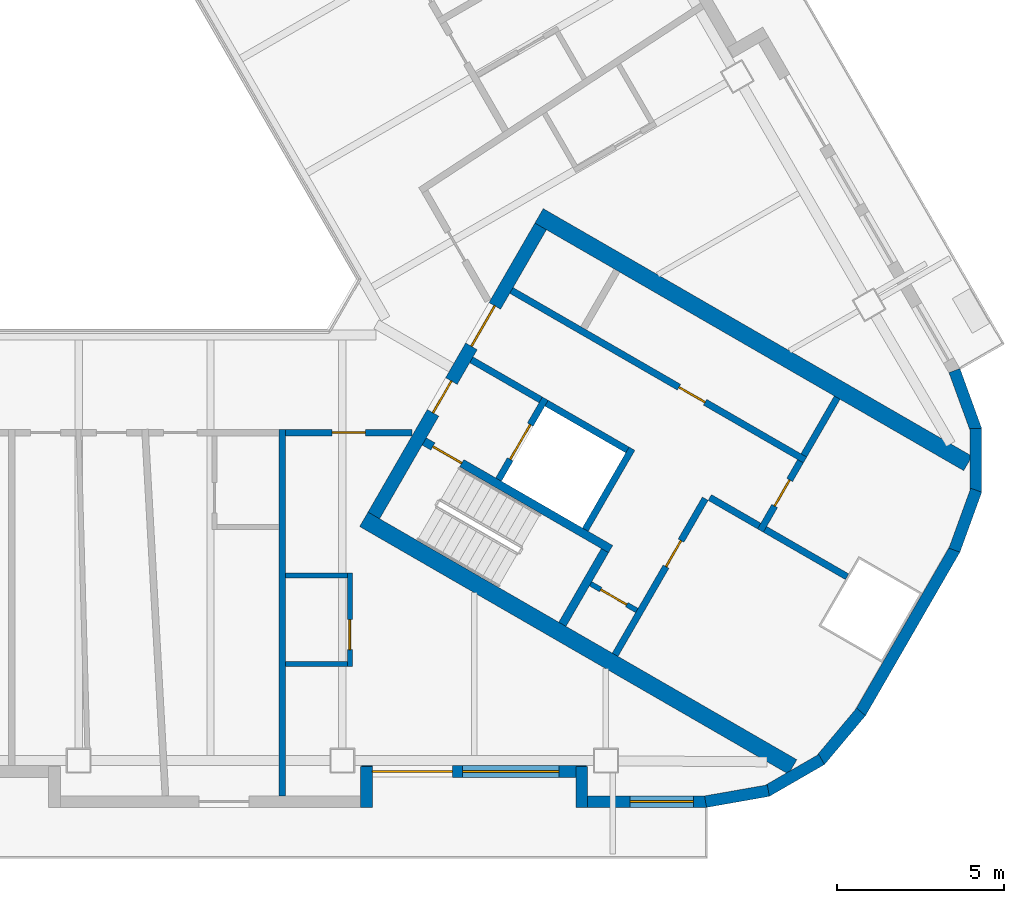
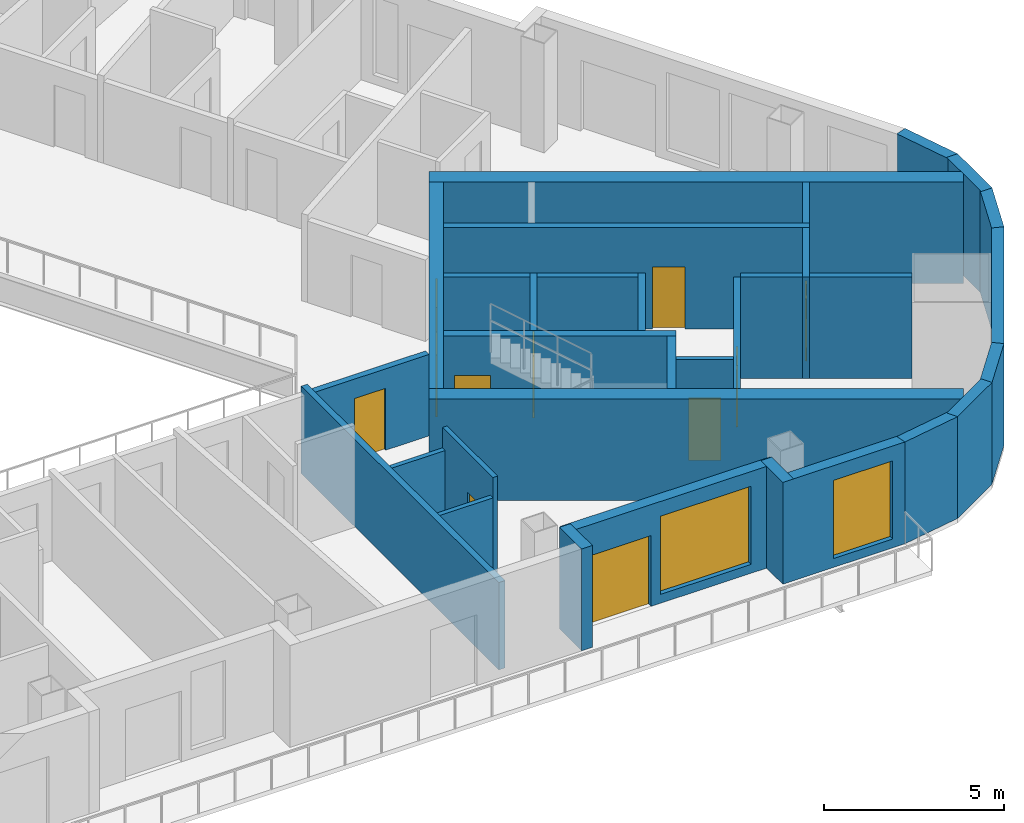
# One storey, part 5 of 14: 32 walls, 11 doors, 2 windows, 13 openings.
"""IFC4 building model written with IfcOpenShell, lengths in metres."""

from ifc_helpers import new_model, si_unit, direction, frame, frame_2d, origin, place, context, subcontext, project, spatial, rectangle, extrude, material, layer, layer_set, type_object, element, fill, save


model = new_model("IFC4")

# Units and contexts
model_context = context("Model", 3, precision=1e-05, world=origin(), true_north=direction((0.0, 1.0)))
body_context = subcontext(model_context, "Body", "Model", "MODEL_VIEW")
ifc_project = project(units=[si_unit("LENGTHUNIT", "METRE"), si_unit("AREAUNIT", "SQUARE_METRE"), si_unit("VOLUMEUNIT", "CUBIC_METRE"), si_unit("PLANEANGLEUNIT", "RADIAN"), si_unit("MASSUNIT", "GRAM", prefix="KILO")], contexts=[model_context])

# Site, building, storey
site_placement = place(None, origin())
site = spatial("IfcSite", under=ifc_project, at=site_placement, CompositionType="ELEMENT")
building_placement = place(site_placement, origin())
building = spatial("IfcBuilding", under=site, at=building_placement, Name="Apuvela Tower Hotel", CompositionType="ELEMENT")
storey_placement = place(building_placement, frame((0.0, 0.0, 228.0)))
storey = spatial("IfcBuildingStorey", under=building, at=storey_placement, Name="L56", CompositionType="ELEMENT", Elevation=228.0)

# Wall, openings, doors
ifc_material_1 = material(Name="Concrete C50/60", Category="concrete")
ifc_layer_1 = layer(ifc_material_1, 0.39990234375)
ifc_layer_set_1 = layer_set([ifc_layer_1], Name="COR-WALL-CORE-400")
wall_type_1 = type_object("IfcWallType", Name="COR-WALL-CORE-400", PredefinedType="SHEAR", material=ifc_layer_set_1)
wall_1_placement = place(storey_placement, frame((8.844970703125, -10.880126953125, 0.0), z_axis=(0.0, 0.0, 1.0), x_axis=(0.500004234368, 0.866022959057, 0.0)))
wall_1 = element("IfcWall", 1, at=wall_1_placement, inside=storey, type_object=wall_type_1, Name="Core wall SE", PredefinedType="SHEAR", context=body_context, shape_type="SweptSolid", body=[
    extrude(rectangle(XDim=10.0, YDim=0.39990234375, at=frame_2d((5.0, 0.0))), origin(), (0.0, 0.0, 1.0), 3.449951171875),
])
opening_1_placement = place(wall_1_placement, frame((3.550048828125, 0.0, 0.0)))
opening_1 = element("IfcOpeningElement", 2, at=opening_1_placement, cuts=wall_1, Name="Opening E-FD", PredefinedType="OPENING", context=body_context, shape_type="SweptSolid", body=[
    extrude(rectangle(XDim=1.10009765625, YDim=2.10009765625, at=frame_2d((0.550048828125, 1.050048828125))), frame((0.0, 0.2099609375, 0.0), z_axis=(0.0, -1.0, 0.0), x_axis=(1.0, 0.0, 0.0)), (0.0, 0.0, 1.0), 0.419921875),
])
opening_2_placement = place(wall_1_placement, frame((5.85009765625, 0.0, 0.0)))
opening_2 = element("IfcOpeningElement", 3, at=opening_2_placement, cuts=wall_1, Name="Opening E-GD", PredefinedType="OPENING", context=body_context, shape_type="SweptSolid", body=[
    extrude(rectangle(XDim=1.39990234375, YDim=2.10009765625, at=frame_2d((0.699951171875, 1.050048828125))), frame((0.0, 0.2099609375, 0.0), z_axis=(0.0, -1.0, 0.0), x_axis=(1.0, 0.0, 0.0)), (0.0, 0.0, 1.0), 0.419921875),
])
ifc_material_2 = material(Name="Steel fire door, powder coated", Category="steel")
door_type_1 = type_object("IfcDoorType", Name="COR-FD-1100", OperationType="NOTDEFINED", PredefinedType="DOOR", material=ifc_material_2)
door_1_placement = place(opening_1_placement, frame((1.10009765625, 0.0, 0.0), z_axis=(0.0, 0.0, 1.0), x_axis=(-1.0, 0.0, 0.0)))
door_1 = element("IfcDoor", 4, at=door_1_placement, inside=storey, type_object=door_type_1, Name="Firefighting lobby door E-FD", OperationType="SINGLE_SWING_LEFT", OverallHeight=2.10009765625, OverallWidth=1.10009765625, PredefinedType="DOOR", context=body_context, shape_type="SweptSolid", body=[
    extrude(rectangle(XDim=1.10009765625, YDim=2.10009765625, at=frame_2d((0.550048828125, 1.050048828125))), frame((0.0, 0.02490234375, 0.0), z_axis=(0.0, -1.0, 0.0), x_axis=(1.0, 0.0, 0.0)), (0.0, 0.0, 1.0), 0.050048828125),
])
fill(opening_1, door_1)
ifc_material_3 = material(Name="Glazed steel fire door", Category="steel")
door_type_2 = type_object("IfcDoorType", Name="COR-GD-1400", OperationType="DOUBLE_DOOR_SINGLE_SWING", PredefinedType="DOOR", material=ifc_material_3)
door_2_placement = place(opening_2_placement, frame((1.39990234375, 0.0, 0.0), z_axis=(0.0, 0.0, 1.0), x_axis=(-1.0, 0.0, 0.0)))
door_2 = element("IfcDoor", 5, at=door_2_placement, inside=storey, type_object=door_type_2, Name="Lift lobby door E-GD", OperationType="DOUBLE_DOOR_SINGLE_SWING", OverallHeight=2.10009765625, OverallWidth=1.39990234375, PredefinedType="DOOR", context=body_context, shape_type="SweptSolid", body=[
    extrude(rectangle(XDim=1.39990234375, YDim=2.10009765625, at=frame_2d((0.699951171875, 1.050048828125))), frame((0.0, 0.02490234375, 0.0), z_axis=(0.0, -1.0, 0.0), x_axis=(1.0, 0.0, 0.0)), (0.0, 0.0, 1.0), 0.050048828125),
])
fill(opening_2, door_2)

# Walls
ifc_layer_2 = layer(ifc_material_1, 0.5)
ifc_layer_set_2 = layer_set([ifc_layer_2], Name="COR-WALL-CORE-500")
wall_type_2 = type_object("IfcWallType", Name="COR-WALL-CORE-500", PredefinedType="SHEAR", material=ifc_layer_set_2)
for number, where, z_axis, x_axis, name in (
    (6, (8.546630859375, -10.99658203125, 0.0), (0.0, 0.0, 1.0), (0.866025009528, -0.500000682871, 0.0), "Core wall SE"),
    (7, (13.796630859375, -1.9033203125, 0.0), (0.0, 0.0, 1.0), (0.866025009528, -0.500000682871, 0.0), "Core wall SE"),
):
    element("IfcWall", number, at=place(storey_placement, frame(where, z_axis=z_axis, x_axis=x_axis)), inside=storey, type_object=wall_type_2, Name=name, PredefinedType="SHEAR", context=body_context, shape_type="SweptSolid", body=[
        extrude(rectangle(XDim=14.8369140625, YDim=0.5, at=frame_2d((7.41845703125, 0.0))), origin(), (0.0, 0.0, 1.0), 3.449951171875),
    ])

# Wall, opening, door
ifc_material_4 = material(Name="Blockwork 150 mm plastered", Category="masonry")
ifc_layer_3 = layer(ifc_material_4, 0.14990234375)
ifc_layer_set_3 = layer_set([ifc_layer_3], Name="COR-WALL-PART-150")
wall_type_3 = type_object("IfcWallType", Name="COR-WALL-PART-150", PredefinedType="PARTITIONING", material=ifc_layer_set_3)
wall_2_placement = place(storey_placement, frame((15.341552734375, -12.927734375, 0.0), z_axis=(0.0, 0.0, 1.0), x_axis=(0.865989903783, -0.500061482766, 0.0)))
wall_2 = element("IfcWall", 8, at=wall_2_placement, inside=storey, type_object=wall_type_3, Name="Partition SE", PredefinedType="PARTITIONING", context=body_context, shape_type="SweptSolid", body=[
    extrude(rectangle(XDim=1.599853515625, YDim=0.14990234375, at=frame_2d((0.7998046875, 0.0))), origin(), (0.0, 0.0, 1.0), 3.449951171875),
])
opening_3_placement = place(wall_2_placement, frame((0.35009765625, 0.0, 0.0)))
opening_3 = element("IfcOpeningElement", 9, at=opening_3_placement, cuts=wall_2, Name="Opening E-RD", PredefinedType="OPENING", context=body_context, shape_type="SweptSolid", body=[
    extrude(rectangle(XDim=0.89990234375, YDim=2.10009765625, at=frame_2d((0.449951171875, 1.050048828125))), frame((0.0, 0.0849609375, 0.0), z_axis=(0.0, -1.0, 0.0), x_axis=(1.0, 0.0, 0.0)), (0.0, 0.0, 1.0), 0.169921875),
])
ifc_material_5 = material(Name="Steel access door, powder coated", Category="steel")
door_type_3 = type_object("IfcDoorType", Name="COR-RD-900", OperationType="NOTDEFINED", PredefinedType="DOOR", material=ifc_material_5)
door_3_placement = place(opening_3_placement, frame((0.89990234375, 0.0, 0.0), z_axis=(0.0, 0.0, 1.0), x_axis=(-1.0, 0.0, 0.0)))
door_3 = element("IfcDoor", 10, at=door_3_placement, inside=storey, type_object=door_type_3, Name="Riser door E-RD", OperationType="SINGLE_SWING_LEFT", OverallHeight=2.10009765625, OverallWidth=0.89990234375, PredefinedType="DOOR", context=body_context, shape_type="SweptSolid", body=[
    extrude(rectangle(XDim=0.89990234375, YDim=2.10009765625, at=frame_2d((0.449951171875, 1.050048828125))), frame((0.0, 0.02490234375, 0.0), z_axis=(0.0, -1.0, 0.0), x_axis=(1.0, 0.0, 0.0)), (0.0, 0.0, 1.0), 0.050048828125),
])
fill(opening_3, door_3)

ifc_material_6 = material(Name="Blockwork 200 mm plastered", Category="masonry")
ifc_layer_4 = layer(ifc_material_6, 0.199951171875)
ifc_layer_set_4 = layer_set([ifc_layer_4], Name="COR-WALL-PART-200")
wall_type_4 = type_object("IfcWallType", Name="COR-WALL-PART-200", PredefinedType="PARTITIONING", material=ifc_layer_set_4)
wall_3_placement = place(storey_placement, frame((16.076171875, -15.05517578125, 0.0), z_axis=(0.0, 0.0, 1.0), x_axis=(0.499995103361, 0.866028230842, 0.0)))
wall_3 = element("IfcWall", 11, at=wall_3_placement, inside=storey, type_object=wall_type_4, Name="Partition SE", PredefinedType="PARTITIONING", context=body_context, shape_type="SweptSolid", body=[
    extrude(rectangle(XDim=5.39990234375, YDim=0.199951171875, at=frame_2d((2.699951171875, 0.0))), origin(), (0.0, 0.0, 1.0), 3.449951171875),
])
opening_4_placement = place(wall_3_placement, frame((3.050048828125, 0.0, 0.0)))
opening_4 = element("IfcOpeningElement", 12, at=opening_4_placement, cuts=wall_3, Name="Opening E-RS1", PredefinedType="OPENING", context=body_context, shape_type="SweptSolid", body=[
    extrude(rectangle(XDim=0.89990234375, YDim=2.10009765625, at=frame_2d((0.449951171875, 1.050048828125))), frame((0.0, 0.10986328125, 0.0), z_axis=(0.0, -1.0, 0.0), x_axis=(1.0, 0.0, 0.0)), (0.0, 0.0, 1.0), 0.219970703125),
])
door_type_4 = type_object("IfcDoorType", Name="COR-DR-900", OperationType="NOTDEFINED", PredefinedType="DOOR", material=ifc_material_2)
door_4_placement = place(opening_4_placement, frame((0.89990234375, 0.0, 0.0), z_axis=(0.0, 0.0, 1.0), x_axis=(-1.0, 0.0, 0.0)))
door_4 = element("IfcDoor", 13, at=door_4_placement, inside=storey, type_object=door_type_4, Name="Store door E-RS1", OperationType="SINGLE_SWING_LEFT", OverallHeight=2.10009765625, OverallWidth=0.89990234375, PredefinedType="DOOR", context=body_context, shape_type="SweptSolid", body=[
    extrude(rectangle(XDim=0.89990234375, YDim=2.10009765625, at=frame_2d((0.449951171875, 1.050048828125))), frame((0.0, 0.02490234375, 0.0), z_axis=(0.0, -1.0, 0.0), x_axis=(1.0, 0.0, 0.0)), (0.0, 0.0, 1.0), 0.050048828125),
])
fill(opening_4, door_4)

# Wall
ifc_layer_5 = layer(ifc_material_1, 0.199951171875)
ifc_layer_set_5 = layer_set([ifc_layer_5], Name="COR-WALL-SHAFT-200")
wall_type_5 = type_object("IfcWallType", Name="COR-WALL-SHAFT-200", PredefinedType="SHEAR", material=ifc_layer_set_5)
wall_4_placement = place(storey_placement, frame((15.181396484375, -11.305419921875, 0.0), z_axis=(0.0, 0.0, 1.0), x_axis=(0.49994636267, 0.866056369097, 0.0)))
element("IfcWall", 14, at=wall_4_placement, inside=storey, type_object=wall_type_5, Name="Shaft wall SE", PredefinedType="SHEAR", context=body_context, shape_type="SweptSolid", body=[
    extrude(rectangle(XDim=2.800048828125, YDim=0.199951171875, at=frame_2d((1.39990234375, 0.0))), origin(), (0.0, 0.0, 1.0), 3.449951171875),
])

# Wall, opening, door
wall_5_placement = place(storey_placement, frame((12.583251953125, -9.805419921875, 0.0), z_axis=(0.0, 0.0, 1.0), x_axis=(0.49994636267, 0.866056369097, 0.0)))
wall_5 = element("IfcWall", 15, at=wall_5_placement, inside=storey, type_object=wall_type_5, Name="Shaft wall SE", PredefinedType="SHEAR", context=body_context, shape_type="SweptSolid", body=[
    extrude(rectangle(XDim=2.800048828125, YDim=0.199951171875, at=frame_2d((1.39990234375, 0.0))), origin(), (0.0, 0.0, 1.0), 3.449951171875),
])
opening_5_placement = place(wall_5_placement, frame((0.699951171875, 0.0, 0.0)))
opening_5 = element("IfcOpeningElement", 16, at=opening_5_placement, cuts=wall_5, Name="Opening E-LD-FS3", PredefinedType="OPENING", context=body_context, shape_type="SweptSolid", body=[
    extrude(rectangle(XDim=1.199951171875, YDim=2.10009765625, at=frame_2d((0.60009765625, 1.050048828125))), frame((0.0, 0.10986328125, 0.0), z_axis=(0.0, -1.0, 0.0), x_axis=(1.0, 0.0, 0.0)), (0.0, 0.0, 1.0), 0.219970703125),
])
ifc_material_7 = material(Name="Stainless steel lift landing door", Category="steel")
door_type_5 = type_object("IfcDoorType", Name="COR-LD-1200", OperationType="DOUBLE_DOOR_SLIDING", PredefinedType="DOOR", material=ifc_material_7)
door_5_placement = place(opening_5_placement, origin())
door_5 = element("IfcDoor", 17, at=door_5_placement, inside=storey, type_object=door_type_5, Name="Lift landing door E-LD-FS3", OperationType="DOUBLE_DOOR_SLIDING", OverallHeight=2.10009765625, OverallWidth=1.199951171875, PredefinedType="DOOR", context=body_context, shape_type="SweptSolid", body=[
    extrude(rectangle(XDim=1.199951171875, YDim=2.10009765625, at=frame_2d((0.60009765625, 1.050048828125))), frame((0.0, 0.02490234375, 0.0), z_axis=(0.0, -1.0, 0.0), x_axis=(1.0, 0.0, 0.0)), (0.0, 0.0, 1.0), 0.050048828125),
])
fill(opening_5, door_5)

# Walls
wall_6_placement = place(storey_placement, frame((11.76806640625, -6.217041015625, 0.0), z_axis=(0.0, 0.0, 1.0), x_axis=(0.866050077142, -0.499957262057, 0.0)))
element("IfcWall", 18, at=wall_6_placement, inside=storey, type_object=wall_type_5, Name="Shaft wall SE", PredefinedType="SHEAR", context=body_context, shape_type="SweptSolid", body=[
    extrude(rectangle(XDim=2.400146484375, YDim=0.199951171875, at=frame_2d((1.2001953125, 0.0))), origin(), (0.0, 0.0, 1.0), 3.449951171875),
])
wall_7_placement = place(storey_placement, frame((14.019775390625, -7.51708984375, 0.0), z_axis=(0.0, 0.0, 1.0), x_axis=(0.866034573852, -0.49998411664, 0.0)))
element("IfcWall", 19, at=wall_7_placement, inside=storey, type_object=wall_type_5, Name="Shaft wall SE", PredefinedType="SHEAR", context=body_context, shape_type="SweptSolid", body=[
    extrude(rectangle(XDim=2.7998046875, YDim=0.199951171875, at=frame_2d((1.39990234375, 0.0))), origin(), (0.0, 0.0, 1.0), 3.449951171875),
])

# Wall, opening, door
wall_8_placement = place(storey_placement, frame((12.968017578125, -4.138427734375, 0.0), z_axis=(0.0, 0.0, 1.0), x_axis=(0.866028328073, -0.49999493495, 0.0)))
wall_8 = element("IfcWall", 20, at=wall_8_placement, inside=storey, type_object=wall_type_5, Name="Shaft wall SE", PredefinedType="SHEAR", context=body_context, shape_type="SweptSolid", body=[
    extrude(rectangle(XDim=10.16015625, YDim=0.199951171875, at=frame_2d((5.080078125, 0.0))), origin(), (0.0, 0.0, 1.0), 3.449951171875),
])
opening_6_placement = place(wall_8_placement, frame((5.800048828125, 0.0, 0.0)))
opening_6 = element("IfcOpeningElement", 21, at=opening_6_placement, cuts=wall_8, Name="Opening E-RE2", PredefinedType="OPENING", context=body_context, shape_type="SweptSolid", body=[
    extrude(rectangle(XDim=0.89990234375, YDim=2.10009765625, at=frame_2d((0.449951171875, 1.050048828125))), frame((0.0, 0.10986328125, 0.0), z_axis=(0.0, -1.0, 0.0), x_axis=(1.0, 0.0, 0.0)), (0.0, 0.0, 1.0), 0.219970703125),
])
door_6_placement = place(opening_6_placement, origin())
door_6 = element("IfcDoor", 22, at=door_6_placement, inside=storey, type_object=door_type_4, Name="Store door E-RE2", OperationType="SINGLE_SWING_LEFT", OverallHeight=2.10009765625, OverallWidth=0.89990234375, PredefinedType="DOOR", context=body_context, shape_type="SweptSolid", body=[
    extrude(rectangle(XDim=0.89990234375, YDim=2.10009765625, at=frame_2d((0.449951171875, 1.050048828125))), frame((0.0, 0.02490234375, 0.0), z_axis=(0.0, -1.0, 0.0), x_axis=(1.0, 0.0, 0.0)), (0.0, 0.0, 1.0), 0.050048828125),
])
fill(opening_6, door_6)

wall_9_placement = place(storey_placement, frame((20.430419921875, -11.33349609375, 0.0), z_axis=(0.0, 0.0, 1.0), x_axis=(0.500001309137, 0.866024647952, 0.0)))
wall_9 = element("IfcWall", 23, at=wall_9_placement, inside=storey, type_object=wall_type_5, Name="Shaft wall SE", PredefinedType="SHEAR", context=body_context, shape_type="SweptSolid", body=[
    extrude(rectangle(XDim=2.39990234375, YDim=0.199951171875, at=frame_2d((1.199951171875, 0.0))), origin(), (0.0, 0.0, 1.0), 3.449951171875),
])
opening_7_placement = place(wall_9_placement, frame((0.85009765625, 0.0, 0.0)))
opening_7 = element("IfcOpeningElement", 24, at=opening_7_placement, cuts=wall_9, Name="Opening E-REP", PredefinedType="OPENING", context=body_context, shape_type="SweptSolid", body=[
    extrude(rectangle(XDim=0.89990234375, YDim=2.10009765625, at=frame_2d((0.449951171875, 1.050048828125))), frame((0.0, 0.10986328125, 0.0), z_axis=(0.0, -1.0, 0.0), x_axis=(1.0, 0.0, 0.0)), (0.0, 0.0, 1.0), 0.219970703125),
])
door_7_placement = place(opening_7_placement, frame((0.89990234375, 0.0, 0.0), z_axis=(0.0, 0.0, 1.0), x_axis=(-1.0, 0.0, 0.0)))
door_7 = element("IfcDoor", 25, at=door_7_placement, inside=storey, type_object=door_type_4, Name="Store door E-REP", OperationType="SINGLE_SWING_RIGHT", OverallHeight=2.10009765625, OverallWidth=0.89990234375, PredefinedType="DOOR", context=body_context, shape_type="SweptSolid", body=[
    extrude(rectangle(XDim=0.89990234375, YDim=2.10009765625, at=frame_2d((0.449951171875, 1.050048828125))), frame((0.0, 0.02490234375, 0.0), z_axis=(0.0, -1.0, 0.0), x_axis=(1.0, 0.0, 0.0)), (0.0, 0.0, 1.0), 0.050048828125),
])
fill(opening_7, door_7)

# Walls
wall_10_placement = place(storey_placement, frame((18.912841796875, -10.342041015625, 0.0), z_axis=(0.0, 0.0, 1.0), x_axis=(0.866038183914, -0.499977863513, 0.0)))
element("IfcWall", 26, at=wall_10_placement, inside=storey, type_object=wall_type_5, Name="Shaft wall SE", PredefinedType="SHEAR", context=body_context, shape_type="SweptSolid", body=[
    extrude(rectangle(XDim=1.7099609375, YDim=0.199951171875, at=frame_2d((0.85498046875, 0.0))), origin(), (0.0, 0.0, 1.0), 3.449951171875),
])
wall_11_placement = place(storey_placement, frame((21.73046875, -9.081787109375, 0.0), z_axis=(0.0, 0.0, 1.0), x_axis=(0.50002537861, 0.866010750942, 0.0)))
element("IfcWall", 27, at=wall_11_placement, inside=storey, type_object=wall_type_5, Name="Shaft wall SE", PredefinedType="SHEAR", context=body_context, shape_type="SweptSolid", body=[
    extrude(rectangle(XDim=2.0, YDim=0.199951171875, at=frame_2d((1.0, 0.0))), origin(), (0.0, 0.0, 1.0), 3.449951171875),
])
wall_12_placement = place(storey_placement, frame((20.56689453125, -11.297119140625, 0.0), z_axis=(0.0, 0.0, 1.0), x_axis=(0.866055327414, -0.49994816717, 0.0)))
element("IfcWall", 28, at=wall_12_placement, inside=storey, type_object=wall_type_5, Name="Shaft wall SE", PredefinedType="SHEAR", context=body_context, shape_type="SweptSolid", body=[
    extrude(rectangle(XDim=2.840087890625, YDim=0.199951171875, at=frame_2d((1.419921875, 0.0))), origin(), (0.0, 0.0, 1.0), 3.449951171875),
])

# Wall, opening, door
ifc_layer_6 = layer(ifc_material_1, 0.25)
ifc_layer_set_6 = layer_set([ifc_layer_6], Name="COR-WALL-STAIR-250")
wall_type_6 = type_object("IfcWallType", Name="COR-WALL-STAIR-250", PredefinedType="SHEAR", material=ifc_layer_set_6)
wall_13_placement = place(storey_placement, frame((10.355712890625, -8.66357421875, 0.0), z_axis=(0.0, 0.0, 1.0), x_axis=(0.866028629588, -0.499994412703, 0.0)))
wall_13 = element("IfcWall", 29, at=wall_13_placement, inside=storey, type_object=wall_type_6, Name="Stair wall SE", PredefinedType="SHEAR", context=body_context, shape_type="SweptSolid", body=[
    extrude(rectangle(XDim=6.44970703125, YDim=0.25, at=frame_2d((3.224853515625, 0.0))), origin(), (0.0, 0.0, 1.0), 3.449951171875),
])
opening_8_placement = place(wall_13_placement, frame((0.300048828125, 0.0, 0.0)))
opening_8 = element("IfcOpeningElement", 30, at=opening_8_placement, cuts=wall_13, Name="Opening E-SD", PredefinedType="OPENING", context=body_context, shape_type="SweptSolid", body=[
    extrude(rectangle(XDim=1.0, YDim=2.10009765625, at=frame_2d((0.5, 1.050048828125))), frame((0.0, 0.135009765625, 0.0), z_axis=(0.0, -1.0, 0.0), x_axis=(1.0, 0.0, 0.0)), (0.0, 0.0, 1.0), 0.27001953125),
])
door_type_6 = type_object("IfcDoorType", Name="COR-SD-1000", OperationType="NOTDEFINED", PredefinedType="DOOR", material=ifc_material_2)
door_8_placement = place(opening_8_placement, frame((1.0, 0.0, 0.0), z_axis=(0.0, 0.0, 1.0), x_axis=(-1.0, 0.0, 0.0)))
door_8 = element("IfcDoor", 31, at=door_8_placement, inside=storey, type_object=door_type_6, Name="Stair door E-SD", OperationType="SINGLE_SWING_LEFT", OverallHeight=2.10009765625, OverallWidth=1.0, PredefinedType="DOOR", context=body_context, shape_type="SweptSolid", body=[
    extrude(rectangle(XDim=1.0, YDim=2.10009765625, at=frame_2d((0.5, 1.050048828125))), frame((0.0, 0.02490234375, 0.0), z_axis=(0.0, -1.0, 0.0), x_axis=(1.0, 0.0, 0.0)), (0.0, 0.0, 1.0), 0.050048828125),
])
fill(opening_8, door_8)

# Walls
wall_14_placement = place(storey_placement, frame((14.49560546875, -14.142578125, 0.0), z_axis=(0.0, 0.0, 1.0), x_axis=(0.500062241894, 0.865989465428, 0.0)))
element("IfcWall", 32, at=wall_14_placement, inside=storey, type_object=wall_type_6, Name="Stair wall SE", PredefinedType="SHEAR", context=body_context, shape_type="SweptSolid", body=[
    extrude(rectangle(XDim=2.550048828125, YDim=0.25, at=frame_2d((1.27490234375, 0.0))), origin(), (0.0, 0.0, 1.0), 3.449951171875),
])
ifc_material_8 = material(Name="Concrete C40/50, dark pigmented precast panel", Category="concrete")
ifc_layer_7 = layer(ifc_material_8, 0.35009765625)
ifc_layer_set_7 = layer_set([ifc_layer_7], Name="ENV-WALL-350")
wall_type_7 = type_object("IfcWallType", Name="ENV-WALL-350", PredefinedType="SOLIDWALL", material=ifc_layer_set_7)
wall_15_placement = place(storey_placement, frame((8.625, -19.6298828125, 0.0), z_axis=(0.0, 0.0, 1.0), x_axis=(0.0, 1.0, 0.0)))
element("IfcWall", 33, at=wall_15_placement, inside=storey, type_object=wall_type_7, Name="External wall L56-22", PredefinedType="SOLIDWALL", context=body_context, shape_type="SweptSolid", body=[
    extrude(rectangle(XDim=1.219970703125, YDim=0.35009765625, at=frame_2d((0.60986328125, 0.0))), origin(), (0.0, 0.0, 1.0), 3.449951171875),
])

# Wall, openings, door, window
wall_16_placement = place(storey_placement, frame((8.47998046875, -18.554931640625, 0.0), z_axis=(0.0, 0.0, 1.0), x_axis=(1.0, 0.0, 0.0)))
wall_16 = element("IfcWall", 34, at=wall_16_placement, inside=storey, type_object=wall_type_7, Name="External wall L56-23", PredefinedType="SOLIDWALL", context=body_context, shape_type="SweptSolid", body=[
    extrude(rectangle(XDim=6.739990234375, YDim=0.35009765625, at=frame_2d((3.3701171875, 0.0))), origin(), (0.0, 0.0, 1.0), 3.449951171875),
])
opening_9_placement = place(wall_16_placement, frame((0.3203125, 0.0, 0.0)))
opening_9 = element("IfcOpeningElement", 35, at=opening_9_placement, cuts=wall_16, Name="Opening BD24", PredefinedType="OPENING", context=body_context, shape_type="SweptSolid", body=[
    extrude(rectangle(XDim=2.39990234375, YDim=2.39990234375, at=frame_2d((1.199951171875, 1.199951171875))), frame((0.0, 0.18505859375, 0.0), z_axis=(0.0, -1.0, 0.0), x_axis=(1.0, 0.0, 0.0)), (0.0, 0.0, 1.0), 0.3701171875),
])
opening_10_placement = place(wall_16_placement, frame((3.020263671875, 0.0, 0.300048828125)))
opening_10 = element("IfcOpeningElement", 36, at=opening_10_placement, cuts=wall_16, Name="Opening WN29", PredefinedType="OPENING", context=body_context, shape_type="SweptSolid", body=[
    extrude(rectangle(XDim=2.89990234375, YDim=2.64990234375, at=frame_2d((1.449951171875, 1.324951171875))), frame((0.0, 0.18505859375, 0.0), z_axis=(0.0, -1.0, 0.0), x_axis=(1.0, 0.0, 0.0)), (0.0, 0.0, 1.0), 0.3701171875),
])
ifc_material_9 = material(Name="Aluminium 6063-T6, dark bronze anodised frame with dark tinted laminated glass", Category="aluminium")
door_type_7 = type_object("IfcDoorType", Name="ENV-DOOR-BALCONY-2400x2400", OperationType="SLIDING_TO_LEFT", PredefinedType="DOOR", material=ifc_material_9)
door_9_placement = place(opening_9_placement, frame((2.39990234375, 0.0, 0.0), z_axis=(0.0, 0.0, 1.0), x_axis=(-1.0, 0.0, 0.0)))
door_9 = element("IfcDoor", 37, at=door_9_placement, inside=storey, type_object=door_type_7, Name="Balcony door BD24", OperationType="SLIDING_TO_LEFT", OverallHeight=2.39990234375, OverallWidth=2.39990234375, PredefinedType="DOOR", context=body_context, shape_type="SweptSolid", body=[
    extrude(rectangle(XDim=2.39990234375, YDim=2.39990234375, at=frame_2d((1.199951171875, 1.199951171875))), frame((0.0, 0.02490234375, 0.0), z_axis=(0.0, -1.0, 0.0), x_axis=(1.0, 0.0, 0.0)), (0.0, 0.0, 1.0), 0.050048828125),
])
fill(opening_9, door_9)
ifc_material_10 = material(Name="Glass, dark tinted laminated insulated glazing unit", Category="glass")
window_type_1 = type_object("IfcWindowType", Name="ENV-WIN-2900x2650", PartitioningType="SINGLE_PANEL", PredefinedType="WINDOW", material=ifc_material_10)
window_1_placement = place(opening_10_placement, origin())
window_1 = element("IfcWindow", 38, at=window_1_placement, inside=storey, type_object=window_type_1, Name="Window WN29", OverallHeight=2.64990234375, OverallWidth=2.89990234375, PartitioningType="SINGLE_PANEL", PredefinedType="WINDOW", context=body_context, shape_type="SweptSolid", body=[
    extrude(rectangle(XDim=2.89990234375, YDim=2.64990234375, at=frame_2d((1.449951171875, 1.324951171875))), frame((0.0, 0.030029296875, 0.0), z_axis=(0.0, -1.0, 0.0), x_axis=(1.0, 0.0, 0.0)), (0.0, 0.0, 1.0), 0.06005859375),
])
fill(opening_10, window_1)

# Wall
wall_17_placement = place(storey_placement, frame((15.074951171875, -18.409912109375, 0.0), z_axis=(0.0, 0.0, 1.0), x_axis=(0.0, -1.0, 0.0)))
element("IfcWall", 39, at=wall_17_placement, inside=storey, type_object=wall_type_7, Name="External wall L56-24", PredefinedType="SOLIDWALL", context=body_context, shape_type="SweptSolid", body=[
    extrude(rectangle(XDim=1.219970703125, YDim=0.35009765625, at=frame_2d((0.60986328125, 0.0))), origin(), (0.0, 0.0, 1.0), 3.449951171875),
])

# Wall, opening, window
wall_18_placement = place(storey_placement, frame((14.89990234375, -19.455078125, 0.0), z_axis=(0.0, 0.0, 1.0), x_axis=(1.0, 0.0, 0.0)))
wall_18 = element("IfcWall", 40, at=wall_18_placement, inside=storey, type_object=wall_type_7, Name="External wall L56-25", PredefinedType="SOLIDWALL", context=body_context, shape_type="SweptSolid", body=[
    extrude(rectangle(XDim=3.916015625, YDim=0.35009765625, at=frame_2d((1.9580078125, 0.0))), origin(), (0.0, 0.0, 1.0), 3.449951171875),
])
opening_11_placement = place(wall_18_placement, frame((1.624755859375, 0.0, 0.300048828125)))
opening_11 = element("IfcOpeningElement", 41, at=opening_11_placement, cuts=wall_18, Name="Opening WN19", PredefinedType="OPENING", context=body_context, shape_type="SweptSolid", body=[
    extrude(rectangle(XDim=1.89990234375, YDim=2.64990234375, at=frame_2d((0.949951171875, 1.324951171875))), frame((0.0, 0.18505859375, 0.0), z_axis=(0.0, -1.0, 0.0), x_axis=(1.0, 0.0, 0.0)), (0.0, 0.0, 1.0), 0.3701171875),
])
window_type_2 = type_object("IfcWindowType", Name="ENV-WIN-1900x2650", PartitioningType="SINGLE_PANEL", PredefinedType="WINDOW", material=ifc_material_10)
window_2_placement = place(opening_11_placement, origin())
window_2 = element("IfcWindow", 42, at=window_2_placement, inside=storey, type_object=window_type_2, Name="Window WN19", OverallHeight=2.64990234375, OverallWidth=1.89990234375, PartitioningType="SINGLE_PANEL", PredefinedType="WINDOW", context=body_context, shape_type="SweptSolid", body=[
    extrude(rectangle(XDim=1.89990234375, YDim=2.64990234375, at=frame_2d((0.949951171875, 1.324951171875))), frame((0.0, 0.030029296875, 0.0), z_axis=(0.0, -1.0, 0.0), x_axis=(1.0, 0.0, 0.0)), (0.0, 0.0, 1.0), 0.06005859375),
])
fill(opening_11, window_2)

# Walls
wall_19_placement = place(storey_placement, frame((18.785400390625, -19.457763671875, 0.0), z_axis=(0.0, 0.0, 1.0), x_axis=(0.984798995425, 0.173697837091, 0.0)))
element("IfcWall", 43, at=wall_19_placement, inside=storey, type_object=wall_type_7, Name="External wall L56-26", PredefinedType="SOLIDWALL", context=body_context, shape_type="SweptSolid", body=[
    extrude(rectangle(XDim=1.91015625, YDim=0.35009765625, at=frame_2d((0.955078125, 0.0))), origin(), (0.0, 0.0, 1.0), 3.449951171875),
])
for number, where, z_axis, x_axis, name in (
    (44, (20.609619140625, -19.146728515625, 0.0), (0.0, 0.0, 1.0), (0.866000389056, 0.500043324278, 0.0), "External wall L56-27"),
    (45, (22.21728515625, -18.230712890625, 0.0), (0.0, 0.0, 1.0), (0.642733291068, 0.76609001857, 0.0), "External wall L56-28"),
):
    element("IfcWall", number, at=place(storey_placement, frame(where, z_axis=z_axis, x_axis=x_axis)), inside=storey, type_object=wall_type_7, Name=name, PredefinedType="SOLIDWALL", context=body_context, shape_type="SweptSolid", body=[
        extrude(rectangle(XDim=1.909912109375, YDim=0.35009765625, at=frame_2d((0.955078125, 0.0))), origin(), (0.0, 0.0, 1.0), 3.449951171875),
    ])
wall_20_placement = place(storey_placement, frame((23.427490234375, -16.79248046875, 0.0), z_axis=(0.0, 0.0, 1.0), x_axis=(0.500018773155, 0.866014564827, 0.0)))
element("IfcWall", 46, at=wall_20_placement, inside=storey, type_object=wall_type_7, Name="External wall L56-29", PredefinedType="SOLIDWALL", context=body_context, shape_type="SweptSolid", body=[
    extrude(rectangle(XDim=5.657958984375, YDim=0.35009765625, at=frame_2d((2.8291015625, 0.0))), origin(), (0.0, 0.0, 1.0), 3.449951171875),
])
for number, where, z_axis, x_axis, name in (
    (47, (26.24365234375, -11.920166015625, 0.0), (0.0, 0.0, 1.0), (0.342030395486, 0.939688889242, 0.0), "External wall L56-30"),
    (48, (26.88623046875, -10.18505859375, 0.0), (0.0, 0.0, 1.0), (0.0, 1.0, 0.0), "External wall L56-31"),
    (49, (26.89697265625, -8.334716796875, 0.0), (0.0, 0.0, 1.0), (-0.342030395486, 0.939688889242, 0.0), "External wall L56-32"),
):
    element("IfcWall", number, at=place(storey_placement, frame(where, z_axis=z_axis, x_axis=x_axis)), inside=storey, type_object=wall_type_7, Name=name, PredefinedType="SOLIDWALL", context=body_context, shape_type="SweptSolid", body=[
        extrude(rectangle(XDim=1.91015625, YDim=0.35009765625, at=frame_2d((0.955078125, 0.0))), origin(), (0.0, 0.0, 1.0), 3.449951171875),
    ])
ifc_material_11 = material(Name="Gypsum board partition on twin steel stud", Category="steel")
ifc_layer_8 = layer(ifc_material_11, 0.199951171875)
ifc_layer_set_8 = layer_set([ifc_layer_8], Name="GST-PW1")
wall_type_8 = type_object("IfcWallType", Name="GST-PW1", PredefinedType="PARTITIONING", material=ifc_layer_set_8)
wall_21_placement = place(storey_placement, frame((6.10009765625, -19.280029296875, 0.0), z_axis=(0.0, 0.0, 1.0), x_axis=(0.0, 1.0, 0.0)))
element("IfcWall", 50, at=wall_21_placement, inside=storey, type_object=wall_type_8, Name="L56 partition 04", PredefinedType="PARTITIONING", context=body_context, shape_type="SweptSolid", body=[
    extrude(rectangle(XDim=10.97998046875, YDim=0.199951171875, at=frame_2d((5.489990234375, 0.0))), origin(), (0.0, 0.0, 1.0), 2.9599609375),
])

# Wall, opening, door
ifc_material_12 = material(Name="Gypsum board corridor wall on twin steel stud, acoustic", Category="steel")
ifc_layer_9 = layer(ifc_material_12, 0.199951171875)
ifc_layer_set_9 = layer_set([ifc_layer_9], Name="GST-PW2")
wall_type_9 = type_object("IfcWallType", Name="GST-PW2", PredefinedType="PARTITIONING", material=ifc_layer_set_9)
wall_22_placement = place(storey_placement, frame((9.98828125, -8.39990234375, 0.0), z_axis=(0.0, 0.0, 1.0), x_axis=(-1.0, 0.0, 0.0)))
wall_22 = element("IfcWall", 51, at=wall_22_placement, inside=storey, type_object=wall_type_9, Name="L56 partition 26", PredefinedType="PARTITIONING", context=body_context, shape_type="SweptSolid", body=[
    extrude(rectangle(XDim=3.788330078125, YDim=0.199951171875, at=frame_2d((1.89404296875, 0.0))), origin(), (0.0, 0.0, 1.0), 2.760009765625),
])
opening_12_placement = place(wall_22_placement, frame((1.39404296875, 0.0, 0.0)))
opening_12 = element("IfcOpeningElement", 52, at=opening_12_placement, cuts=wall_22, Name="Opening GD22-10", PredefinedType="OPENING", context=body_context, shape_type="SweptSolid", body=[
    extrude(rectangle(XDim=1.0, YDim=2.10009765625, at=frame_2d((0.5, 1.050048828125))), frame((0.0, 0.10986328125, 0.0), z_axis=(0.0, -1.0, 0.0), x_axis=(1.0, 0.0, 0.0)), (0.0, 0.0, 1.0), 0.219970703125),
])
ifc_material_13 = material(Name="Timber door leaf in steel frame", Category="steel")
door_type_8 = type_object("IfcDoorType", Name="GST-D1", OperationType="NOTDEFINED", PredefinedType="DOOR", material=ifc_material_13)
door_10_placement = place(opening_12_placement, origin())
door_10 = element("IfcDoor", 53, at=door_10_placement, inside=storey, type_object=door_type_8, Name="Door L56-10", OperationType="SINGLE_SWING_RIGHT", OverallHeight=2.10009765625, OverallWidth=1.0, PredefinedType="DOOR", context=body_context, shape_type="SweptSolid", body=[
    extrude(rectangle(XDim=1.0, YDim=2.10009765625, at=frame_2d((0.5, 1.050048828125))), frame((0.0, 0.02490234375, 0.0), z_axis=(0.0, -1.0, 0.0), x_axis=(1.0, 0.0, 0.0)), (0.0, 0.0, 1.0), 0.050048828125),
])
fill(opening_12, door_10)

ifc_material_14 = material(Name="Moisture-resistant gypsum board wet wall on steel stud", Category="steel")
ifc_layer_10 = layer(ifc_material_14, 0.14990234375)
ifc_layer_set_10 = layer_set([ifc_layer_10], Name="GST-PW3")
wall_type_10 = type_object("IfcWallType", Name="GST-PW3", PredefinedType="PARTITIONING", material=ifc_layer_set_10)
wall_23_placement = place(storey_placement, frame((8.125, -15.39990234375, 0.0), z_axis=(0.0, 0.0, 1.0), x_axis=(0.0, 1.0, 0.0)))
wall_23 = element("IfcWall", 54, at=wall_23_placement, inside=storey, type_object=wall_type_10, Name="L56 partition 27", PredefinedType="PARTITIONING", context=body_context, shape_type="SweptSolid", body=[
    extrude(rectangle(XDim=2.7998046875, YDim=0.14990234375, at=frame_2d((1.39990234375, 0.0))), origin(), (0.0, 0.0, 1.0), 3.449951171875),
])
opening_13_placement = place(wall_23_placement, frame((0.5, 0.0, 0.0)))
opening_13 = element("IfcOpeningElement", 55, at=opening_13_placement, cuts=wall_23, Name="Opening GD22-09", PredefinedType="OPENING", context=body_context, shape_type="SweptSolid", body=[
    extrude(rectangle(XDim=0.89990234375, YDim=2.10009765625, at=frame_2d((0.449951171875, 1.050048828125))), frame((0.0, 0.0849609375, 0.0), z_axis=(0.0, -1.0, 0.0), x_axis=(1.0, 0.0, 0.0)), (0.0, 0.0, 1.0), 0.169921875),
])
door_type_9 = type_object("IfcDoorType", Name="GST-D2", OperationType="NOTDEFINED", PredefinedType="DOOR", material=ifc_material_13)
door_11_placement = place(opening_13_placement, origin())
door_11 = element("IfcDoor", 56, at=door_11_placement, inside=storey, type_object=door_type_9, Name="Door L56-09", OperationType="SINGLE_SWING_LEFT", OverallHeight=2.10009765625, OverallWidth=0.89990234375, PredefinedType="DOOR", context=body_context, shape_type="SweptSolid", body=[
    extrude(rectangle(XDim=0.89990234375, YDim=2.10009765625, at=frame_2d((0.449951171875, 1.050048828125))), frame((0.0, 0.02490234375, 0.0), z_axis=(0.0, -1.0, 0.0), x_axis=(1.0, 0.0, 0.0)), (0.0, 0.0, 1.0), 0.050048828125),
])
fill(opening_13, door_11)

# Walls
for number, where, z_axis, x_axis, name in (
    (57, (6.199951171875, -15.324951171875, 0.0), (0.0, 0.0, 1.0), (1.0, 0.0, 0.0), "L56 partition 28"),
    (58, (6.199951171875, -12.675048828125, 0.0), (0.0, 0.0, 1.0), (1.0, 0.0, 0.0), "L56 partition 29"),
):
    element("IfcWall", number, at=place(storey_placement, frame(where, z_axis=z_axis, x_axis=x_axis)), inside=storey, type_object=wall_type_10, Name=name, PredefinedType="PARTITIONING", context=body_context, shape_type="SweptSolid", body=[
        extrude(rectangle(XDim=1.85009765625, YDim=0.14990234375, at=frame_2d((0.925048828125, 0.0))), origin(), (0.0, 0.0, 1.0), 2.760009765625),
    ])

save(model, "model.ifc")
